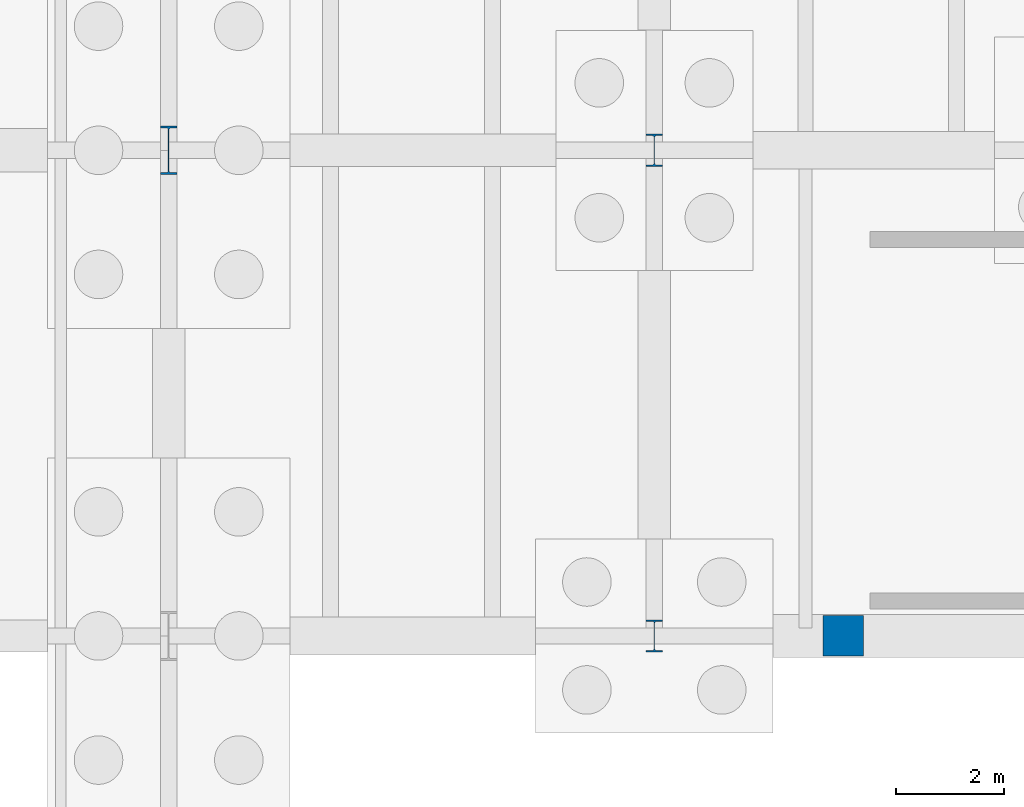
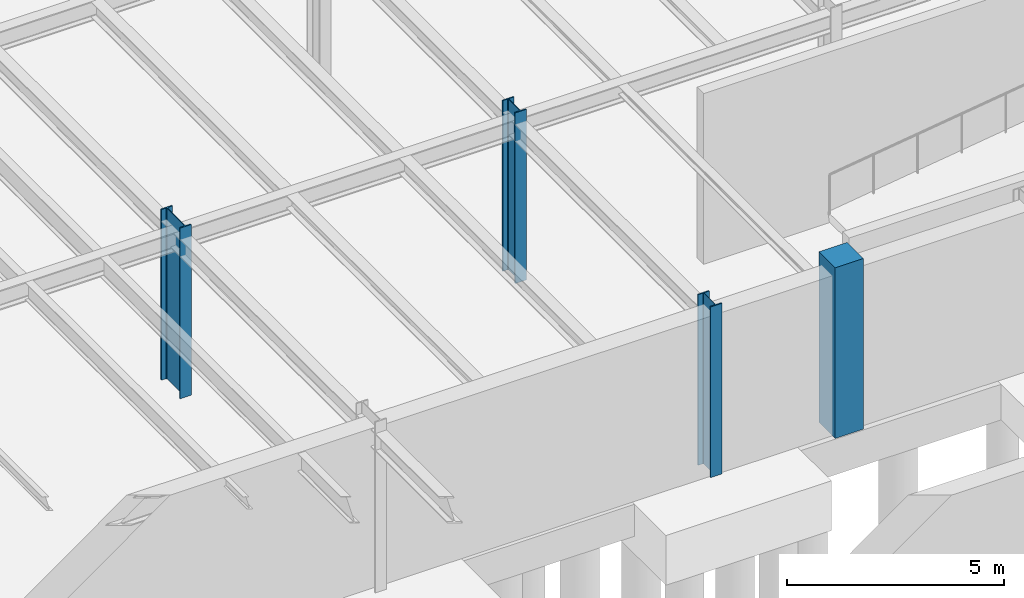
# One storey, part 18 of 59: 4 columns.
"""IFC4 building model written with IfcOpenShell, lengths in metres."""

import ifcopenshell
import ifcopenshell.guid

model = None  # the IFC model being written
_history = None  # IfcOwnerHistory: only IFC2X3 demands one
_inside = {}  # id of a spatial element -> (the spatial element, [elements in it])
_under = {}  # id of a project, library or spatial element -> (it, [spatial elements below it])
_declared = {}  # id of a project -> (the project, [libraries it declares])
_typed = {}  # id of a type object -> (the type object, [elements of that type])
_made_of = {}  # id of a material, layer set ... -> (it, [elements and type objects made of it])


def new_model(schema):
    """Start an empty IFC model of exactly this schema.

    Asked for "IFC4X3", IfcOpenShell would pick the latest addendum, in which some entities
    have other attributes; the version numbers below select the first issue.
    IFC2X3 requires an IfcOwnerHistory on every rooted entity: one is made here for all.
    """
    global model, _history
    if schema == "IFC4X3":
        model = ifcopenshell.file(schema_version=(4, 3, 0, 0))
    else:
        model = ifcopenshell.file(schema=schema)
    _inside.clear()
    _under.clear()
    _declared.clear()
    _typed.clear()
    _made_of.clear()
    _history = None
    if model.schema == "IFC2X3":
        org = make("IfcOrganization", Name="unknown")
        user = make(
            "IfcPersonAndOrganization",
            ThePerson=make("IfcPerson", FamilyName="unknown"),
            TheOrganization=org,
        )
        app = make(
            "IfcApplication",
            ApplicationDeveloper=org,
            Version="unknown",
            ApplicationFullName="unknown",
            ApplicationIdentifier="unknown",
        )
        _history = make(
            "IfcOwnerHistory",
            OwningUser=user,
            OwningApplication=app,
            ChangeAction="ADDED",
            CreationDate=0,
        )
    return model


def make(cls, **values):
    """One entity of the class cls with the attributes given. An attribute that is None is left unset."""
    return model.create_entity(
        cls, **{name: value for name, value in values.items() if value is not None}
    )


def rooted(cls, **values):
    """An entity with a GlobalId (a new one), such as an element, a storey or a relation."""
    return make(cls, GlobalId=ifcopenshell.guid.new(), OwnerHistory=_history, **values)


def si_unit(unit_type, name, prefix=None):
    """IfcSIUnit, for example si_unit("LENGTHUNIT", "METRE", prefix="MILLI")."""
    return make("IfcSIUnit", UnitType=unit_type, Prefix=prefix, Name=name)


def assignment(units):
    """IfcUnitAssignment: the units of a project."""
    return None if units is None else make("IfcUnitAssignment", Units=units)


def point(xyz):
    """IfcCartesianPoint."""
    return None if xyz is None else make("IfcCartesianPoint", Coordinates=xyz)


def direction(xyz):
    """IfcDirection."""
    return None if xyz is None else make("IfcDirection", DirectionRatios=xyz)


def frame(location, z_axis=None, x_axis=None):
    """IfcAxis2Placement3D, a coordinate frame: its origin and axes. An axis left out is left unset."""
    return make(
        "IfcAxis2Placement3D",
        Location=point(location),
        Axis=direction(z_axis),
        RefDirection=direction(x_axis),
    )


def frame_2d(location, x_axis=None):
    """IfcAxis2Placement2D, a coordinate frame in the plane: its origin and x axis."""
    return make(
        "IfcAxis2Placement2D", Location=point(location), RefDirection=direction(x_axis)
    )


def origin():
    """The frame at (0, 0, 0) with its axes left unset."""
    return frame((0.0, 0.0, 0.0))


def origin_2d():
    """The frame at (0, 0) in the plane with its x axis left unset."""
    return frame_2d((0.0, 0.0))


def place(relative_to, where):
    """IfcLocalPlacement: puts the frame where relative to a parent placement (None: the world)."""
    return make(
        "IfcLocalPlacement", PlacementRelTo=relative_to, RelativePlacement=where
    )


def context(
    kind, dimensions, precision=None, world=None, true_north=None, identifier=None
):
    """IfcGeometricRepresentationContext, for example the 3D "Model" context."""
    return make(
        "IfcGeometricRepresentationContext",
        ContextIdentifier=identifier,
        ContextType=kind,
        CoordinateSpaceDimension=dimensions,
        Precision=precision,
        WorldCoordinateSystem=world,
        TrueNorth=true_north,
    )


def subcontext(parent, identifier, kind, view, scale=None):
    """IfcGeometricRepresentationSubContext, for example "Body" below "Model"."""
    return make(
        "IfcGeometricRepresentationSubContext",
        ContextIdentifier=identifier,
        ContextType=kind,
        ParentContext=parent,
        TargetScale=scale,
        TargetView=view,
    )


def project(units=None, contexts=None):
    """IfcProject with its units and contexts."""
    return rooted(
        "IfcProject",
        Name="project",
        RepresentationContexts=contexts,
        UnitsInContext=assignment(units),
    )


def spatial(cls, under=None, at=None, **own):
    """A site, building, storey or space (cls), placed at a placement, below another one or the project."""
    s = rooted(cls, ObjectPlacement=at, **own)
    if under is not None:
        _under.setdefault(under.id(), (under, []))[1].append(s)
    return s


def profile(cls, at=None, kind="AREA", **sizes):
    """A parametric profile (cls). Its sizes go by their IFC names, for example OverallWidth=200.0."""
    return make(cls, ProfileType=kind, Position=at, **sizes)


def rectangle(**sizes):
    """IfcRectangleProfileDef."""
    return profile("IfcRectangleProfileDef", **sizes)


def i_section(**sizes):
    """IfcIShapeProfileDef."""
    return profile("IfcIShapeProfileDef", **sizes)


def extrude(swept, where, along, depth):
    """IfcExtrudedAreaSolid: the profile swept, set in the frame where, extruded along a direction by depth."""
    return make(
        "IfcExtrudedAreaSolid",
        SweptArea=swept,
        Position=where,
        ExtrudedDirection=direction(along),
        Depth=depth,
    )


def shape(context_of_items, identifier, shape_type, items):
    """IfcShapeRepresentation: the items that make up one representation, for example the "Body"."""
    return make(
        "IfcShapeRepresentation",
        ContextOfItems=context_of_items,
        RepresentationIdentifier=identifier,
        RepresentationType=shape_type,
        Items=items,
    )


def material(Name=None, Category=None):
    """IfcMaterial."""
    return make("IfcMaterial", Name=Name, Category=Category)


def material_profile(
    of_material, cross_section, Name=None, Category=None, Priority=None
):
    """IfcMaterialProfile: a cross section and its material."""
    return make(
        "IfcMaterialProfile",
        Name=Name,
        Material=of_material,
        Profile=cross_section,
        Priority=Priority,
        Category=Category,
    )


def profile_set(profiles, Name=None, composite=None):
    """IfcMaterialProfileSet."""
    return make(
        "IfcMaterialProfileSet",
        Name=Name,
        MaterialProfiles=profiles,
        CompositeProfile=composite,
    )


def made_of(thing, what):
    """Note that an element or type object is made of a material, layer set ...; save() writes the relation."""
    if what is not None:
        _made_of.setdefault(what.id(), (what, []))[1].append(thing)
    return thing


def type_object(cls, material=None, **own):
    """A type object (cls), such as IfcWallType, which elements share."""
    return made_of(rooted(cls, **own), material)


def element(
    cls,
    number,
    at=None,
    inside=None,
    cuts=None,
    type_object=None,
    material=None,
    context=None,
    identifier="Body",
    shape_type=None,
    held_by="IfcProductDefinitionShape",
    body=None,
    shapes=None,
    **own,
):
    """One element of the class cls, such as IfcWall. Its Tag is "e" and its number.

    at: its placement. inside: the storey or other place that contains it. cuts: it is an
    opening in that element (IfcRelVoidsElement). A single representation is given by context,
    identifier, shape_type and body (its items); several are given by shapes. held_by: the class
    of the entity that holds the representations. save() writes the other relations.
    """
    e = rooted(cls, Tag="e%d" % number, ObjectPlacement=at, **own)
    if body is not None:
        shapes = [shape(context, identifier, shape_type, body)]
    if shapes is not None:
        e.Representation = make(held_by, Representations=shapes)
    if inside is not None:
        _inside.setdefault(inside.id(), (inside, []))[1].append(e)
    if cuts is not None:
        rooted(
            "IfcRelVoidsElement", RelatingBuildingElement=cuts, RelatedOpeningElement=e
        )
    if type_object is not None:
        _typed.setdefault(type_object.id(), (type_object, []))[1].append(e)
    return made_of(e, material)


def aggregate(whole, parts):
    """IfcRelAggregates: a whole, such as a stair, and the parts it consists of."""
    return rooted("IfcRelAggregates", RelatingObject=whole, RelatedObjects=parts)


def save(model, path):
    """Write the relations noted so far, then the file.

    IfcRelAggregates (storeys below a building ...), IfcRelContainedInSpatialStructure (elements
    in a storey), IfcRelDefinesByType, IfcRelAssociatesMaterial and IfcRelDeclares: one each for
    every whole, place, type object, material and project.
    """
    for whole, parts in _under.values():
        aggregate(whole, parts)
    for where, things in _inside.values():
        rooted(
            "IfcRelContainedInSpatialStructure",
            RelatedElements=things,
            RelatingStructure=where,
        )
    for kind, things in _typed.values():
        rooted("IfcRelDefinesByType", RelatedObjects=things, RelatingType=kind)
    for what, things in _made_of.values():
        rooted("IfcRelAssociatesMaterial", RelatedObjects=things, RelatingMaterial=what)
    for by, libraries in _declared.values():
        rooted("IfcRelDeclares", RelatingContext=by, RelatedDefinitions=libraries)
    model.write(path)


model = new_model("IFC4")

# Units and contexts
model_context = context("Model", 3, precision=1e-05, world=origin(), true_north=direction((0.0, 1.0)))
body_context = subcontext(model_context, "Body", "Model", "MODEL_VIEW")
ifc_project = project(units=[si_unit("LENGTHUNIT", "METRE"), si_unit("AREAUNIT", "SQUARE_METRE"), si_unit("VOLUMEUNIT", "CUBIC_METRE"), si_unit("PLANEANGLEUNIT", "RADIAN"), si_unit("MASSUNIT", "GRAM", prefix="KILO")], contexts=[model_context])

# Site, building, storey
site_placement = place(None, origin())
site = spatial("IfcSite", under=ifc_project, at=site_placement, CompositionType="ELEMENT")
building_placement = place(site_placement, origin())
building = spatial("IfcBuilding", under=site, at=building_placement, Name="Montealbar Specialist Clinic", CompositionType="ELEMENT")
storey_placement = place(building_placement, frame((0.0, 0.0, -4.800048828125)))
storey = spatial("IfcBuildingStorey", under=building, at=storey_placement, Name="B01", CompositionType="ELEMENT", Elevation=-4.800048828125)

# Columns
ifc_material_1 = material(Name="Steel S355", Category="steel")
ifc_material_profile_1 = material_profile(ifc_material_1, i_section(OverallWidth=0.300048828125, OverallDepth=0.89990234375, WebThickness=0.0185546875, FlangeThickness=0.034912109375, FilletRadius=0.030029296875, at=origin_2d()), Name="HEB 900", Category="steel")
ifc_profile_set_1 = profile_set([ifc_material_profile_1], Name="Steel S355")
column_type_1 = type_object("IfcColumnType", Name="COL-S-B01-MEGA", PredefinedType="COLUMN", material=ifc_profile_set_1)
column_1_placement = place(storey_placement, frame((111.0, 27.0, 0.0), z_axis=(0.0, 0.0, 1.0), x_axis=(1.0, 0.0, 0.0)))
element("IfcColumn", 1, at=column_1_placement, inside=storey, type_object=column_type_1, Name="Column 15/D B01", PredefinedType="COLUMN", context=body_context, shape_type="SweptSolid", body=[
    extrude(i_section(OverallWidth=0.300048828125, OverallDepth=0.89990234375, WebThickness=0.0185546875, FlangeThickness=0.034912109375, FilletRadius=0.030029296875, at=origin_2d()), origin(), (0.0, 0.0, 1.0), 4.800048828125),
])
ifc_material_profile_2 = material_profile(ifc_material_1, i_section(OverallWidth=0.300048828125, OverallDepth=0.60009765625, WebThickness=0.015380859375, FlangeThickness=0.030029296875, FilletRadius=0.027099609375, at=origin_2d()), Name="HEB 600", Category="steel")
ifc_profile_set_2 = profile_set([ifc_material_profile_2], Name="Steel S355")
column_type_2 = type_object("IfcColumnType", Name="COL-S-B01-STD", PredefinedType="COLUMN", material=ifc_profile_set_2)
column_2_placement = place(storey_placement, frame((120.0, 27.0, 0.0), z_axis=(0.0, 0.0, 1.0), x_axis=(1.0, 0.0, 0.0)))
element("IfcColumn", 2, at=column_2_placement, inside=storey, type_object=column_type_2, Name="Column 16/D B01", PredefinedType="COLUMN", context=body_context, shape_type="SweptSolid", body=[
    extrude(i_section(OverallWidth=0.300048828125, OverallDepth=0.60009765625, WebThickness=0.015380859375, FlangeThickness=0.030029296875, FilletRadius=0.027099609375, at=origin_2d()), origin(), (0.0, 0.0, 1.0), 4.800048828125),
])
ifc_material_profile_3 = material_profile(ifc_material_1, i_section(OverallWidth=0.300048828125, OverallDepth=0.60009765625, WebThickness=0.015380859375, FlangeThickness=0.030029296875, FilletRadius=0.027099609375, at=origin_2d()), Name="HEB 600", Category="steel")
ifc_profile_set_3 = profile_set([ifc_material_profile_3], Name="Steel S355")
column_type_3 = type_object("IfcColumnType", Name="COL-S-B01-STD-EXT", PredefinedType="COLUMN", material=ifc_profile_set_3)
column_3_placement = place(storey_placement, frame((120.0, 18.0, 0.0), z_axis=(0.0, 0.0, 1.0), x_axis=(1.0, 0.0, 0.0)))
element("IfcColumn", 3, at=column_3_placement, inside=storey, type_object=column_type_3, Name="Column 16/C B01", PredefinedType="COLUMN", context=body_context, shape_type="SweptSolid", body=[
    extrude(i_section(OverallWidth=0.300048828125, OverallDepth=0.60009765625, WebThickness=0.015380859375, FlangeThickness=0.030029296875, FilletRadius=0.027099609375, at=origin_2d()), origin(), (0.0, 0.0, 1.0), 4.800048828125),
])
ifc_material_2 = material(Name="Guadarrama granite ashlar", Category="masonry")
ifc_material_profile_4 = material_profile(ifc_material_2, rectangle(XDim=0.75, YDim=0.75, at=origin_2d()), Name="GRANITE PILASTER 750x750", Category="masonry")
ifc_profile_set_4 = profile_set([ifc_material_profile_4], Name="Guadarrama granite ashlar")
column_type_4 = type_object("IfcColumnType", Name="PIL-PM-GIANT-INT", PredefinedType="PILASTER", material=ifc_profile_set_4)
column_4_placement = place(storey_placement, frame((123.5, 18.0, 0.0), z_axis=(0.0, 0.0, 1.0), x_axis=(1.0, 0.0, 0.0)))
element("IfcColumn", 4, at=column_4_placement, inside=storey, type_object=column_type_4, Name="Column SP1/C B01", PredefinedType="PILASTER", context=body_context, shape_type="SweptSolid", body=[
    extrude(rectangle(XDim=0.75, YDim=0.75, at=origin_2d()), origin(), (0.0, 0.0, 1.0), 4.800048828125),
])

save(model, "model.ifc")
